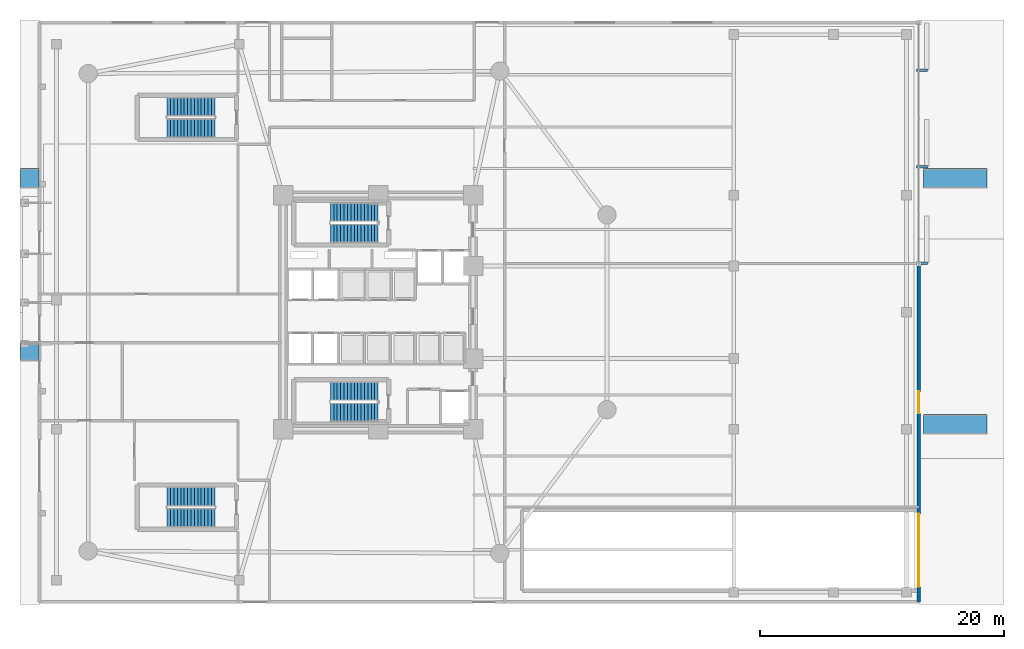
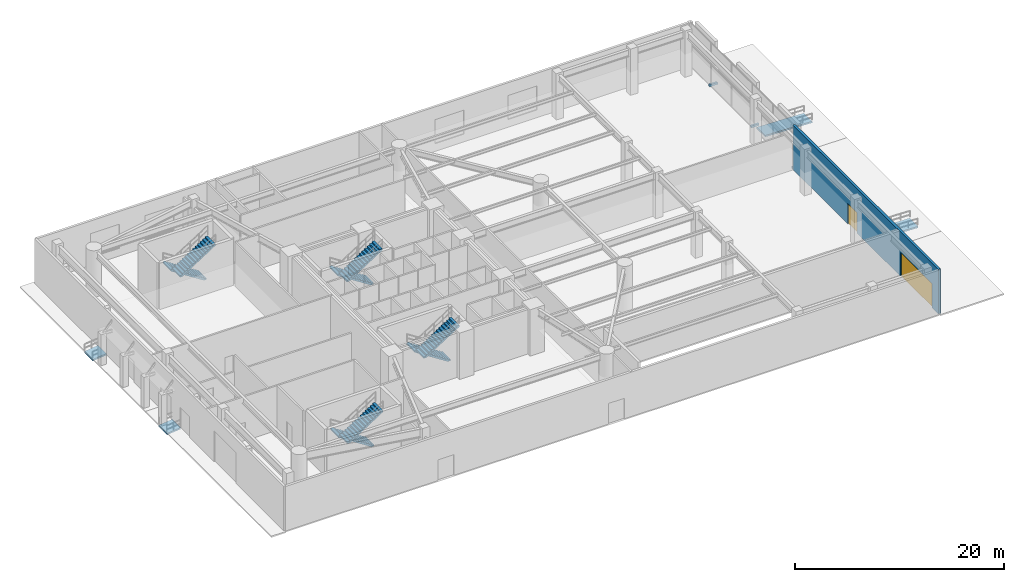
# One storey, part 10 of 16: 8 stair flights, 4 ramp flights, 3 discrete accessories, 2 doors, 1 wall, 2 openings, 8 elements without a shape of their own.
"""IFC4 building model written with IfcOpenShell, lengths in metres."""

from ifc_helpers import new_model, si_unit, direction, frame, frame_2d, origin, origin_2d, place, context, subcontext, project, spatial, polyline, rectangle, outline, extrude, material, layer, layer_set, type_object, element, fill, aggregate, save


model = new_model("IFC4")

# Units and contexts
model_context = context("Model", 3, precision=1e-05, world=origin(), true_north=direction((0.0, 1.0)))
body_context = subcontext(model_context, "Body", "Model", "MODEL_VIEW")
ifc_project = project(units=[si_unit("LENGTHUNIT", "METRE"), si_unit("AREAUNIT", "SQUARE_METRE"), si_unit("VOLUMEUNIT", "CUBIC_METRE"), si_unit("PLANEANGLEUNIT", "RADIAN"), si_unit("MASSUNIT", "GRAM", prefix="KILO")], contexts=[model_context])

# Site, building, storey
site_placement = place(None, origin())
site = spatial("IfcSite", under=ifc_project, at=site_placement, CompositionType="ELEMENT")
building_placement = place(site_placement, origin())
building = spatial("IfcBuilding", under=site, at=building_placement, Name="An Khanh Terracotta Commons", CompositionType="ELEMENT")
storey_placement = place(building_placement, origin())
storey = spatial("IfcBuildingStorey", under=building, at=storey_placement, Name="L01", CompositionType="ELEMENT", Elevation=0.0)

# Wall, openings, doors
ifc_material_1 = material(Name="Concrete C40/50", Category="concrete")
ifc_layer_1 = layer(ifc_material_1, 0.260009765625, Name="Concrete C40/50")
ifc_layer_set_1 = layer_set([ifc_layer_1], Name="Concrete C40/50")
wall_type = type_object("IfcWallType", Name="WALL-POD-260", PredefinedType="SOLIDWALL", material=ifc_layer_set_1)
wall_placement = place(storey_placement, frame((73.800048828125, 28.0, 0.0), z_axis=(0.0, 0.0, 1.0), x_axis=(0.0, -1.0, 0.0)))
wall = element("IfcWall", 1, at=wall_placement, inside=storey, type_object=wall_type, Name="L01 East Ramp Portal and Food Hall Wall", PredefinedType="SOLIDWALL", context=body_context, shape_type="SweptSolid", body=[
    extrude(rectangle(XDim=27.800048828125, YDim=0.260009765625, at=frame_2d((13.89990234375, 0.0))), origin(), (0.0, 0.0, 1.0), 5.179931640625),
])
opening_1_placement = place(wall_placement, frame((20.550048828125, 0.0, 0.0)))
opening_1 = element("IfcOpeningElement", 2, at=opening_1_placement, cuts=wall, Name="Opening VG-01", PredefinedType="OPENING", context=body_context, shape_type="SweptSolid", body=[
    extrude(rectangle(XDim=6.0, YDim=2.800048828125, at=frame_2d((3.0, 1.39990234375))), frame((0.0, 0.139892578125, 0.0), z_axis=(0.0, -1.0, 0.0), x_axis=(1.0, 0.0, 0.0)), (0.0, 0.0, 1.0), 0.280029296875),
])
opening_2_placement = place(wall_placement, frame((10.5, 0.0, 0.0)))
opening_2 = element("IfcOpeningElement", 3, at=opening_2_placement, cuts=wall, Name="Opening EX-08", PredefinedType="OPENING", context=body_context, shape_type="SweptSolid", body=[
    extrude(rectangle(XDim=1.800048828125, YDim=2.39990234375, at=frame_2d((0.89990234375, 1.199951171875))), frame((0.0, 0.139892578125, 0.0), z_axis=(0.0, -1.0, 0.0), x_axis=(1.0, 0.0, 0.0)), (0.0, 0.0, 1.0), 0.280029296875),
])
ifc_material_2 = material(Name="Anodised Aluminium and Toughened Glass", Category="aluminium")
door_type_1 = type_object("IfcDoorType", Name="DOOR-EXT-EXIT-1800", OperationType="NOTDEFINED", PredefinedType="DOOR", material=ifc_material_2)
door_1_placement = place(opening_2_placement, origin())
door_1 = element("IfcDoor", 4, at=door_1_placement, inside=storey, type_object=door_type_1, Name="L01 Public Food Hall Riverfront Plaza Exit Door EX-08", OperationType="DOUBLE_DOOR_SINGLE_SWING", OverallHeight=2.39990234375, OverallWidth=1.800048828125, PredefinedType="DOOR", context=body_context, shape_type="SweptSolid", body=[
    extrude(rectangle(XDim=1.800048828125, YDim=2.39990234375, at=frame_2d((0.89990234375, 1.199951171875))), frame((0.0, 0.02490234375, 0.0), z_axis=(0.0, -1.0, 0.0), x_axis=(1.0, 0.0, 0.0)), (0.0, 0.0, 1.0), 0.050048828125),
])
fill(opening_2, door_1)
ifc_material_3 = material(Name="Galvanised Perforated Steel S355J2", Category="steel")
door_type_2 = type_object("IfcDoorType", Name="GATE-RAMP-6500", OperationType="NOTDEFINED", PredefinedType="GATE", material=ifc_material_3)
door_2_placement = place(opening_1_placement, origin())
door_2 = element("IfcDoor", 5, at=door_2_placement, inside=storey, type_object=door_type_2, Name="Car Park Grade Portal Roller Shutter Gate VG-01", OperationType="ROLLINGUP", OverallHeight=2.800048828125, OverallWidth=6.0, PredefinedType="GATE", context=body_context, shape_type="SweptSolid", body=[
    extrude(rectangle(XDim=6.0, YDim=2.800048828125, at=frame_2d((3.0, 1.39990234375))), frame((0.0, 0.02490234375, 0.0), z_axis=(0.0, -1.0, 0.0), x_axis=(1.0, 0.0, 0.0)), (0.0, 0.0, 1.0), 0.050048828125),
])
fill(opening_1, door_2)

# Stair, stair flights
ifc_material_4 = material(Name="Precast concrete C40/50", Category="concrete")
stair_type_1 = type_object("IfcStairType", Name="STAIR-CORE-1550", PredefinedType="HALF_TURN_STAIR", material=ifc_material_4)
stair_1_placement = place(storey_placement, origin())
stair_1 = element("IfcStair", 6, at=stair_1_placement, inside=storey, type_object=stair_type_1, Name="L01 Core Smokeproof Exit Stair ST-01", PredefinedType="HALF_TURN_STAIR")
stair_flight_type_1 = type_object("IfcStairFlightType", Name="FLIGHT-CORE-1550", PredefinedType="STRAIGHT", material=ifc_material_4)
stair_flight_1_placement = place(storey_placement, frame((29.409912109375, 32.22509765625, 0.0), z_axis=(0.0, 0.0, 1.0), x_axis=(-1.0, 0.0, 0.0)))
stair_flight_1 = element("IfcStairFlight", 7, at=stair_flight_1_placement, type_object=stair_flight_type_1, Name="ST-01 flight 1", NumberOfRisers=15, NumberOfTreads=14, PredefinedType="STRAIGHT", RiserHeight=0.18, TreadLength=0.28, context=body_context, shape_type="SweptSolid", body=[
    extrude(outline(polyline([(0.0, 0.0), (0.0, 0.179931640625), (0.280029296875, 0.179931640625), (0.280029296875, 0.360107421875), (0.56005859375, 0.360107421875), (0.56005859375, 0.5400390625), (0.840087890625, 0.5400390625), (0.840087890625, 0.719970703125), (1.1201171875, 0.719970703125), (1.1201171875, 0.89990234375), (1.39990234375, 0.89990234375), (1.39990234375, 1.080078125), (1.679931640625, 1.080078125), (1.679931640625, 1.260009765625), (1.9599609375, 1.260009765625), (1.9599609375, 1.43994140625), (2.239990234375, 1.43994140625), (2.239990234375, 1.6201171875), (2.52001953125, 1.6201171875), (2.52001953125, 1.800048828125), (2.800048828125, 1.800048828125), (2.800048828125, 1.97998046875), (3.080078125, 1.97998046875), (3.080078125, 2.159912109375), (3.360107421875, 2.159912109375), (3.360107421875, 2.340087890625), (3.639892578125, 2.340087890625), (3.639892578125, 2.52001953125), (3.919921875, 2.52001953125), (3.919921875, 2.699951171875), (3.919921875, 2.341796875), (0.277099609375, 0.0), (0.0, 0.0)])), frame((0.0, 0.77490234375, 0.0), z_axis=(0.0, -1.0, 0.0), x_axis=(1.0, 0.0, 0.0)), (0.0, 0.0, 1.0), 1.550048828125),
])
stair_flight_2_placement = place(storey_placement, frame((25.489990234375, 30.47509765625, 2.699951171875), z_axis=(0.0, 0.0, 1.0), x_axis=(1.0, 0.0, 0.0)))
stair_flight_2 = element("IfcStairFlight", 8, at=stair_flight_2_placement, type_object=stair_flight_type_1, Name="ST-01 flight 2", NumberOfRisers=15, NumberOfTreads=14, PredefinedType="STRAIGHT", RiserHeight=0.18, TreadLength=0.28, context=body_context, shape_type="SweptSolid", body=[
    extrude(outline(polyline([(0.0, 0.0), (0.0, 0.179931640625), (0.280029296875, 0.179931640625), (0.280029296875, 0.360107421875), (0.56005859375, 0.360107421875), (0.56005859375, 0.5400390625), (0.840087890625, 0.5400390625), (0.840087890625, 0.719970703125), (1.1201171875, 0.719970703125), (1.1201171875, 0.89990234375), (1.39990234375, 0.89990234375), (1.39990234375, 1.080078125), (1.679931640625, 1.080078125), (1.679931640625, 1.260009765625), (1.9599609375, 1.260009765625), (1.9599609375, 1.43994140625), (2.239990234375, 1.43994140625), (2.239990234375, 1.6201171875), (2.52001953125, 1.6201171875), (2.52001953125, 1.800048828125), (2.800048828125, 1.800048828125), (2.800048828125, 1.97998046875), (3.080078125, 1.97998046875), (3.080078125, 2.159912109375), (3.360107421875, 2.159912109375), (3.360107421875, 2.340087890625), (3.639892578125, 2.340087890625), (3.639892578125, 2.52001953125), (3.919921875, 2.52001953125), (3.919921875, 2.699951171875), (3.919921875, 2.341796875), (0.277099609375, 0.0), (0.0, 0.0)])), frame((0.0, 0.77490234375, 0.0), z_axis=(0.0, -1.0, 0.0), x_axis=(1.0, 0.0, 0.0)), (0.0, 0.0, 1.0), 1.550048828125),
])
aggregate(stair_1, [stair_flight_1, stair_flight_2])

stair_2_placement = place(storey_placement, origin())
stair_2 = element("IfcStair", 9, at=stair_2_placement, inside=storey, type_object=stair_type_1, Name="L01 Core Smokeproof Exit Stair ST-02", PredefinedType="HALF_TURN_STAIR")
stair_flight_3_placement = place(storey_placement, frame((29.409912109375, 17.52490234375, 0.0), z_axis=(0.0, 0.0, 1.0), x_axis=(-1.0, 0.0, 0.0)))
stair_flight_3 = element("IfcStairFlight", 10, at=stair_flight_3_placement, type_object=stair_flight_type_1, Name="ST-02 flight 1", NumberOfRisers=15, NumberOfTreads=14, PredefinedType="STRAIGHT", RiserHeight=0.18, TreadLength=0.28, context=body_context, shape_type="SweptSolid", body=[
    extrude(outline(polyline([(0.0, 0.0), (0.0, 0.179931640625), (0.280029296875, 0.179931640625), (0.280029296875, 0.360107421875), (0.56005859375, 0.360107421875), (0.56005859375, 0.5400390625), (0.840087890625, 0.5400390625), (0.840087890625, 0.719970703125), (1.1201171875, 0.719970703125), (1.1201171875, 0.89990234375), (1.39990234375, 0.89990234375), (1.39990234375, 1.080078125), (1.679931640625, 1.080078125), (1.679931640625, 1.260009765625), (1.9599609375, 1.260009765625), (1.9599609375, 1.43994140625), (2.239990234375, 1.43994140625), (2.239990234375, 1.6201171875), (2.52001953125, 1.6201171875), (2.52001953125, 1.800048828125), (2.800048828125, 1.800048828125), (2.800048828125, 1.97998046875), (3.080078125, 1.97998046875), (3.080078125, 2.159912109375), (3.360107421875, 2.159912109375), (3.360107421875, 2.340087890625), (3.639892578125, 2.340087890625), (3.639892578125, 2.52001953125), (3.919921875, 2.52001953125), (3.919921875, 2.699951171875), (3.919921875, 2.341796875), (0.277099609375, 0.0), (0.0, 0.0)])), frame((0.0, 0.77490234375, 0.0), z_axis=(0.0, -1.0, 0.0), x_axis=(1.0, 0.0, 0.0)), (0.0, 0.0, 1.0), 1.550048828125),
])
stair_flight_4_placement = place(storey_placement, frame((25.489990234375, 15.77490234375, 2.699951171875), z_axis=(0.0, 0.0, 1.0), x_axis=(1.0, 0.0, 0.0)))
stair_flight_4 = element("IfcStairFlight", 11, at=stair_flight_4_placement, type_object=stair_flight_type_1, Name="ST-02 flight 2", NumberOfRisers=15, NumberOfTreads=14, PredefinedType="STRAIGHT", RiserHeight=0.18, TreadLength=0.28, context=body_context, shape_type="SweptSolid", body=[
    extrude(outline(polyline([(0.0, 0.0), (0.0, 0.179931640625), (0.280029296875, 0.179931640625), (0.280029296875, 0.360107421875), (0.56005859375, 0.360107421875), (0.56005859375, 0.5400390625), (0.840087890625, 0.5400390625), (0.840087890625, 0.719970703125), (1.1201171875, 0.719970703125), (1.1201171875, 0.89990234375), (1.39990234375, 0.89990234375), (1.39990234375, 1.080078125), (1.679931640625, 1.080078125), (1.679931640625, 1.260009765625), (1.9599609375, 1.260009765625), (1.9599609375, 1.43994140625), (2.239990234375, 1.43994140625), (2.239990234375, 1.6201171875), (2.52001953125, 1.6201171875), (2.52001953125, 1.800048828125), (2.800048828125, 1.800048828125), (2.800048828125, 1.97998046875), (3.080078125, 1.97998046875), (3.080078125, 2.159912109375), (3.360107421875, 2.159912109375), (3.360107421875, 2.340087890625), (3.639892578125, 2.340087890625), (3.639892578125, 2.52001953125), (3.919921875, 2.52001953125), (3.919921875, 2.699951171875), (3.919921875, 2.341796875), (0.277099609375, 0.0), (0.0, 0.0)])), frame((0.0, 0.77490234375, 0.0), z_axis=(0.0, -1.0, 0.0), x_axis=(1.0, 0.0, 0.0)), (0.0, 0.0, 1.0), 1.550048828125),
])
aggregate(stair_2, [stair_flight_3, stair_flight_4])

stair_type_2 = type_object("IfcStairType", Name="STAIR-POD-1550", PredefinedType="HALF_TURN_STAIR", material=ifc_material_1)
stair_3_placement = place(storey_placement, origin())
stair_3 = element("IfcStair", 12, at=stair_3_placement, inside=storey, type_object=stair_type_2, Name="L01 Podium Commons Exit Stair ST-P1", PredefinedType="HALF_TURN_STAIR")
stair_flight_type_2 = type_object("IfcStairFlightType", Name="FLIGHT-POD-1550", PredefinedType="STRAIGHT", material=ifc_material_1)
stair_flight_5_placement = place(storey_placement, frame((16.0, 8.875, 0.0), z_axis=(0.0, 0.0, 1.0), x_axis=(-1.0, 0.0, 0.0)))
stair_flight_5 = element("IfcStairFlight", 13, at=stair_flight_5_placement, type_object=stair_flight_type_2, Name="ST-P1 flight 1", NumberOfRisers=15, NumberOfTreads=14, PredefinedType="STRAIGHT", RiserHeight=0.18, TreadLength=0.28, context=body_context, shape_type="SweptSolid", body=[
    extrude(outline(polyline([(0.0, 0.0), (0.0, 0.179931640625), (0.280029296875, 0.179931640625), (0.280029296875, 0.360107421875), (0.56005859375, 0.360107421875), (0.56005859375, 0.5400390625), (0.840087890625, 0.5400390625), (0.840087890625, 0.719970703125), (1.1201171875, 0.719970703125), (1.1201171875, 0.89990234375), (1.39990234375, 0.89990234375), (1.39990234375, 1.080078125), (1.679931640625, 1.080078125), (1.679931640625, 1.260009765625), (1.9599609375, 1.260009765625), (1.9599609375, 1.43994140625), (2.239990234375, 1.43994140625), (2.239990234375, 1.6201171875), (2.52001953125, 1.6201171875), (2.52001953125, 1.800048828125), (2.800048828125, 1.800048828125), (2.800048828125, 1.97998046875), (3.080078125, 1.97998046875), (3.080078125, 2.159912109375), (3.360107421875, 2.159912109375), (3.360107421875, 2.340087890625), (3.639892578125, 2.340087890625), (3.639892578125, 2.52001953125), (3.919921875, 2.52001953125), (3.919921875, 2.699951171875), (3.919921875, 2.341796875), (0.277099609375, 0.0), (0.0, 0.0)])), frame((0.0, 0.77490234375, 0.0), z_axis=(0.0, -1.0, 0.0), x_axis=(1.0, 0.0, 0.0)), (0.0, 0.0, 1.0), 1.550048828125),
])
stair_flight_6_placement = place(storey_placement, frame((12.080078125, 7.125, 2.699951171875), z_axis=(0.0, 0.0, 1.0), x_axis=(1.0, 0.0, 0.0)))
stair_flight_6 = element("IfcStairFlight", 14, at=stair_flight_6_placement, type_object=stair_flight_type_2, Name="ST-P1 flight 2", NumberOfRisers=15, NumberOfTreads=14, PredefinedType="STRAIGHT", RiserHeight=0.18, TreadLength=0.28, context=body_context, shape_type="SweptSolid", body=[
    extrude(outline(polyline([(0.0, 0.0), (0.0, 0.179931640625), (0.280029296875, 0.179931640625), (0.280029296875, 0.360107421875), (0.56005859375, 0.360107421875), (0.56005859375, 0.5400390625), (0.840087890625, 0.5400390625), (0.840087890625, 0.719970703125), (1.1201171875, 0.719970703125), (1.1201171875, 0.89990234375), (1.39990234375, 0.89990234375), (1.39990234375, 1.080078125), (1.679931640625, 1.080078125), (1.679931640625, 1.260009765625), (1.9599609375, 1.260009765625), (1.9599609375, 1.43994140625), (2.239990234375, 1.43994140625), (2.239990234375, 1.6201171875), (2.52001953125, 1.6201171875), (2.52001953125, 1.800048828125), (2.800048828125, 1.800048828125), (2.800048828125, 1.97998046875), (3.080078125, 1.97998046875), (3.080078125, 2.159912109375), (3.360107421875, 2.159912109375), (3.360107421875, 2.340087890625), (3.639892578125, 2.340087890625), (3.639892578125, 2.52001953125), (3.919921875, 2.52001953125), (3.919921875, 2.699951171875), (3.919921875, 2.341796875), (0.277099609375, 0.0), (0.0, 0.0)])), frame((0.0, 0.77490234375, 0.0), z_axis=(0.0, -1.0, 0.0), x_axis=(1.0, 0.0, 0.0)), (0.0, 0.0, 1.0), 1.550048828125),
])
aggregate(stair_3, [stair_flight_5, stair_flight_6])

stair_4_placement = place(storey_placement, origin())
stair_4 = element("IfcStair", 15, at=stair_4_placement, inside=storey, type_object=stair_type_2, Name="L01 Podium Commons Exit Stair ST-P2", PredefinedType="HALF_TURN_STAIR")
stair_flight_7_placement = place(storey_placement, frame((16.0, 40.875, 0.0), z_axis=(0.0, 0.0, 1.0), x_axis=(-1.0, 0.0, 0.0)))
stair_flight_7 = element("IfcStairFlight", 16, at=stair_flight_7_placement, type_object=stair_flight_type_2, Name="ST-P2 flight 1", NumberOfRisers=15, NumberOfTreads=14, PredefinedType="STRAIGHT", RiserHeight=0.18, TreadLength=0.28, context=body_context, shape_type="SweptSolid", body=[
    extrude(outline(polyline([(0.0, 0.0), (0.0, 0.179931640625), (0.280029296875, 0.179931640625), (0.280029296875, 0.360107421875), (0.56005859375, 0.360107421875), (0.56005859375, 0.5400390625), (0.840087890625, 0.5400390625), (0.840087890625, 0.719970703125), (1.1201171875, 0.719970703125), (1.1201171875, 0.89990234375), (1.39990234375, 0.89990234375), (1.39990234375, 1.080078125), (1.679931640625, 1.080078125), (1.679931640625, 1.260009765625), (1.9599609375, 1.260009765625), (1.9599609375, 1.43994140625), (2.239990234375, 1.43994140625), (2.239990234375, 1.6201171875), (2.52001953125, 1.6201171875), (2.52001953125, 1.800048828125), (2.800048828125, 1.800048828125), (2.800048828125, 1.97998046875), (3.080078125, 1.97998046875), (3.080078125, 2.159912109375), (3.360107421875, 2.159912109375), (3.360107421875, 2.340087890625), (3.639892578125, 2.340087890625), (3.639892578125, 2.52001953125), (3.919921875, 2.52001953125), (3.919921875, 2.699951171875), (3.919921875, 2.341796875), (0.277099609375, 0.0), (0.0, 0.0)])), frame((0.0, 0.77490234375, 0.0), z_axis=(0.0, -1.0, 0.0), x_axis=(1.0, 0.0, 0.0)), (0.0, 0.0, 1.0), 1.550048828125),
])
stair_flight_8_placement = place(storey_placement, frame((12.080078125, 39.125, 2.699951171875), z_axis=(0.0, 0.0, 1.0), x_axis=(1.0, 0.0, 0.0)))
stair_flight_8 = element("IfcStairFlight", 17, at=stair_flight_8_placement, type_object=stair_flight_type_2, Name="ST-P2 flight 2", NumberOfRisers=15, NumberOfTreads=14, PredefinedType="STRAIGHT", RiserHeight=0.18, TreadLength=0.28, context=body_context, shape_type="SweptSolid", body=[
    extrude(outline(polyline([(0.0, 0.0), (0.0, 0.179931640625), (0.280029296875, 0.179931640625), (0.280029296875, 0.360107421875), (0.56005859375, 0.360107421875), (0.56005859375, 0.5400390625), (0.840087890625, 0.5400390625), (0.840087890625, 0.719970703125), (1.1201171875, 0.719970703125), (1.1201171875, 0.89990234375), (1.39990234375, 0.89990234375), (1.39990234375, 1.080078125), (1.679931640625, 1.080078125), (1.679931640625, 1.260009765625), (1.9599609375, 1.260009765625), (1.9599609375, 1.43994140625), (2.239990234375, 1.43994140625), (2.239990234375, 1.6201171875), (2.52001953125, 1.6201171875), (2.52001953125, 1.800048828125), (2.800048828125, 1.800048828125), (2.800048828125, 1.97998046875), (3.080078125, 1.97998046875), (3.080078125, 2.159912109375), (3.360107421875, 2.159912109375), (3.360107421875, 2.340087890625), (3.639892578125, 2.340087890625), (3.639892578125, 2.52001953125), (3.919921875, 2.52001953125), (3.919921875, 2.699951171875), (3.919921875, 2.341796875), (0.277099609375, 0.0), (0.0, 0.0)])), frame((0.0, 0.77490234375, 0.0), z_axis=(0.0, -1.0, 0.0), x_axis=(1.0, 0.0, 0.0)), (0.0, 0.0, 1.0), 1.550048828125),
])
aggregate(stair_4, [stair_flight_7, stair_flight_8])

# Ramp, ramp flight
ramp_type = type_object("IfcRampType", Name="RAMP-PED-1600", PredefinedType="STRAIGHT_RUN_RAMP", material=ifc_material_1)
ramp_1_placement = place(storey_placement, origin())
ramp_1 = element("IfcRamp", 18, at=ramp_1_placement, inside=storey, type_object=ramp_type, Name="West Main Entrance Step-Free Ramp South", PredefinedType="STRAIGHT_RUN_RAMP")
ifc_layer_2 = layer(ifc_material_1, 0.179931640625, Name="Concrete C40/50")
ifc_layer_set_2 = layer_set([ifc_layer_2], Name="Concrete C40/50")
ramp_flight_type = type_object("IfcRampFlightType", Name="RAMPFLIGHT-PED-1600", PredefinedType="STRAIGHT", material=ifc_layer_set_2)
ramp_flight_1_placement = place(storey_placement, frame((0.050048828125, 20.800048828125, -0.159912109375), z_axis=(0.0, 0.0, 1.0), x_axis=(1.0, 0.0, 0.0)))
ramp_flight_1 = element("IfcRampFlight", 19, at=ramp_flight_1_placement, type_object=ramp_flight_type, Name="West Main Entrance Step-Free Ramp South Flight", PredefinedType="STRAIGHT", context=body_context, shape_type="SweptSolid", body=[
    extrude(outline(polyline([(0.0, 0.0), (1.5, 0.159912109375), (1.5, -0.02001953125), (0.0, -0.179931640625), (0.0, 0.0)])), frame((0.0, 0.800048828125, 0.0), z_axis=(0.0, -1.0, 0.0), x_axis=(1.0, 0.0, 0.0)), (0.0, 0.0, 1.0), 1.60009765625),
])
aggregate(ramp_1, [ramp_flight_1])

ramp_2_placement = place(storey_placement, origin())
ramp_2 = element("IfcRamp", 20, at=ramp_2_placement, inside=storey, type_object=ramp_type, Name="West Main Entrance Step-Free Ramp North", PredefinedType="STRAIGHT_RUN_RAMP")
ramp_flight_2_placement = place(storey_placement, frame((0.050048828125, 35.0, -0.159912109375), z_axis=(0.0, 0.0, 1.0), x_axis=(1.0, 0.0, 0.0)))
ramp_flight_2 = element("IfcRampFlight", 21, at=ramp_flight_2_placement, type_object=ramp_flight_type, Name="West Main Entrance Step-Free Ramp North Flight", PredefinedType="STRAIGHT", context=body_context, shape_type="SweptSolid", body=[
    extrude(outline(polyline([(0.0, 0.0), (1.5, 0.159912109375), (1.5, -0.02001953125), (0.0, -0.179931640625), (0.0, 0.0)])), frame((0.0, 0.800048828125, 0.0), z_axis=(0.0, -1.0, 0.0), x_axis=(1.0, 0.0, 0.0)), (0.0, 0.0, 1.0), 1.60009765625),
])
aggregate(ramp_2, [ramp_flight_2])

ramp_3_placement = place(storey_placement, origin())
ramp_3 = element("IfcRamp", 22, at=ramp_3_placement, inside=storey, type_object=ramp_type, Name="East Riverfront Plaza Step-Free Ramp South", PredefinedType="STRAIGHT_RUN_RAMP")
ramp_flight_3_placement = place(storey_placement, frame((79.39990234375, 14.800048828125, -0.159912109375), z_axis=(0.0, 0.0, 1.0), x_axis=(-1.0, 0.0, 0.0)))
ramp_flight_3 = element("IfcRampFlight", 23, at=ramp_flight_3_placement, type_object=ramp_flight_type, Name="East Riverfront Plaza Step-Free Ramp South Flight", PredefinedType="STRAIGHT", context=body_context, shape_type="SweptSolid", body=[
    extrude(outline(polyline([(0.0, 0.0), (5.199951171875, 0.159912109375), (5.199951171875, -0.02001953125), (0.0, -0.179931640625), (0.0, 0.0)])), frame((0.0, 0.800048828125, 0.0), z_axis=(0.0, -1.0, 0.0), x_axis=(1.0, 0.0, 0.0)), (0.0, 0.0, 1.0), 1.60009765625),
])
aggregate(ramp_3, [ramp_flight_3])

ramp_4_placement = place(storey_placement, origin())
ramp_4 = element("IfcRamp", 24, at=ramp_4_placement, inside=storey, type_object=ramp_type, Name="East Riverfront Plaza Step-Free Ramp North", PredefinedType="STRAIGHT_RUN_RAMP")
ramp_flight_4_placement = place(storey_placement, frame((79.39990234375, 35.0, -0.159912109375), z_axis=(0.0, 0.0, 1.0), x_axis=(-1.0, 0.0, 0.0)))
ramp_flight_4 = element("IfcRampFlight", 25, at=ramp_flight_4_placement, type_object=ramp_flight_type, Name="East Riverfront Plaza Step-Free Ramp North Flight", PredefinedType="STRAIGHT", context=body_context, shape_type="SweptSolid", body=[
    extrude(outline(polyline([(0.0, 0.0), (5.199951171875, 0.159912109375), (5.199951171875, -0.02001953125), (0.0, -0.179931640625), (0.0, 0.0)])), frame((0.0, 0.800048828125, 0.0), z_axis=(0.0, -1.0, 0.0), x_axis=(1.0, 0.0, 0.0)), (0.0, 0.0, 1.0), 1.60009765625),
])
aggregate(ramp_4, [ramp_flight_4])

# Discrete accessories
ifc_material_5 = material(Name="Stainless Steel Grade 316L", Category="steel")
discrete_accessory_type = type_object("IfcDiscreteAccessoryType", Name="Stainless Outrigger Facade Bracket", PredefinedType="BRACKET", material=ifc_material_5)
for number, where, z_axis, x_axis, name in (
    (26, (74.06494140625, 28.031982421875, 0.06982421875), (0.0, 0.0, 1.0), (0.0, 1.0, 0.0), "L01 Terracotta Screen Outrigger Bracket 1"),
    (27, (74.06494140625, 35.952880859375, 0.06982421875), (0.0, 0.0, 1.0), (0.0, 1.0, 0.0), "L01 Terracotta Screen Outrigger Bracket 3"),
    (28, (74.06494140625, 43.873046875, 0.06982421875), (0.0, 0.0, 1.0), (0.0, 1.0, 0.0), "L01 Terracotta Screen Outrigger Bracket 5"),
):
    element("IfcDiscreteAccessory", number, at=place(storey_placement, frame(where, z_axis=z_axis, x_axis=x_axis)), inside=storey, type_object=discrete_accessory_type, Name=name, PredefinedType="BRACKET", context=body_context, shape_type="SweptSolid", body=[
        extrude(rectangle(XDim=0.219970703125, YDim=0.8701171875, at=origin_2d()), origin(), (0.0, 0.0, 1.0), 0.219970703125),
    ])

save(model, "model.ifc")
